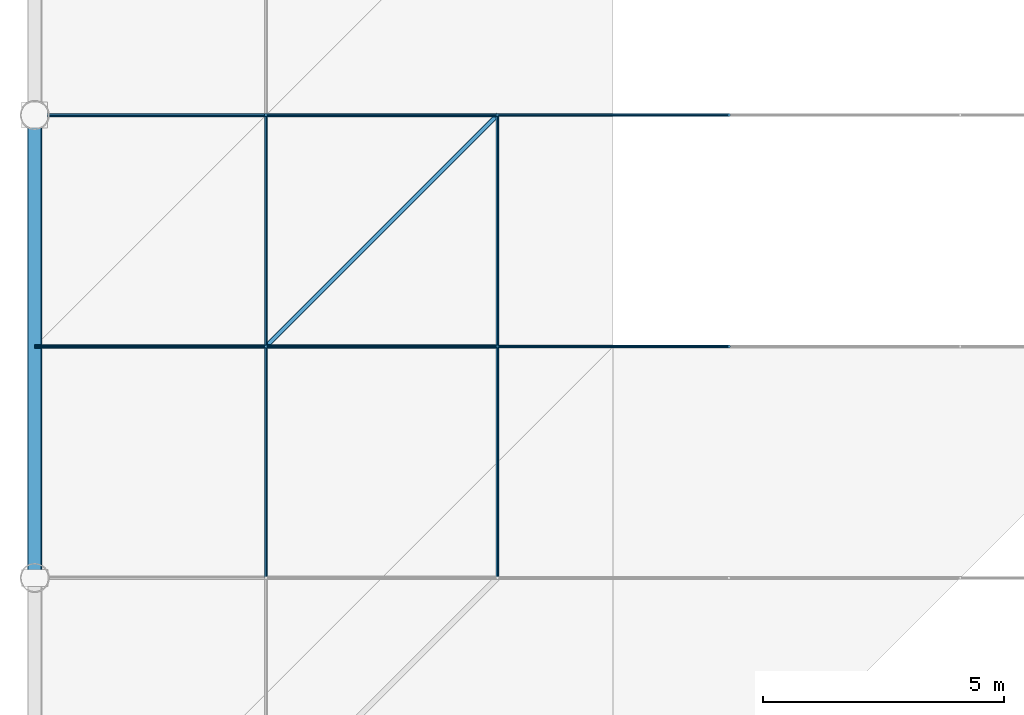
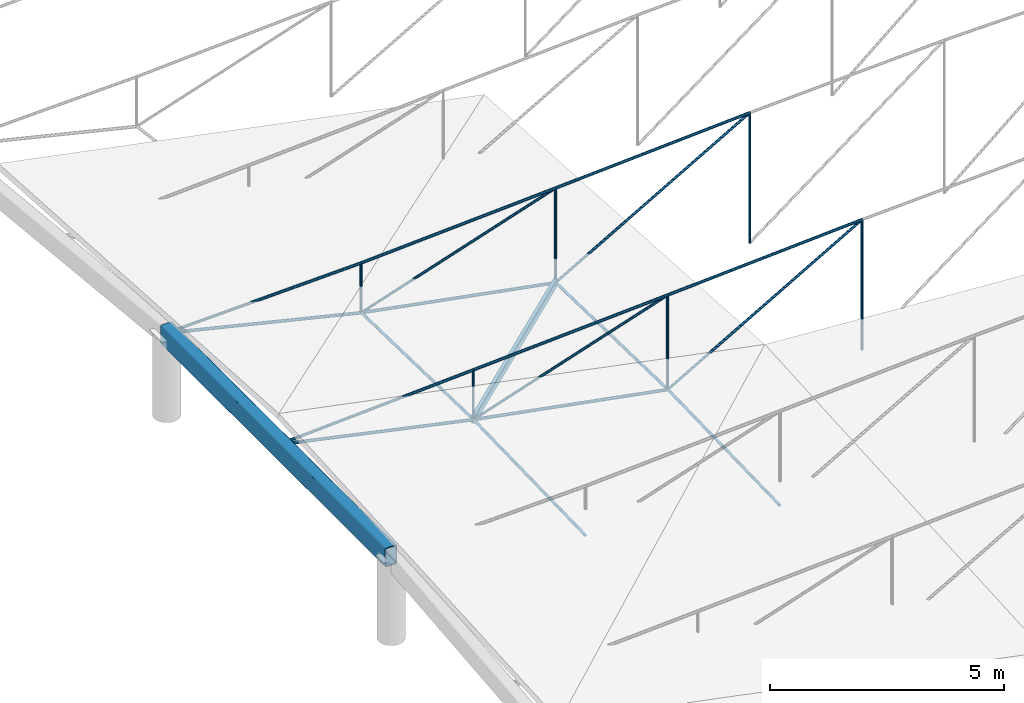
# One storey, part 20 of 50: 25 members, 1 beam.
"""IFC4 building model written with IfcOpenShell, lengths in metres."""

from ifc_helpers import new_model, si_unit, direction, frame, origin, origin_2d, place, context, subcontext, project, spatial, hollow_rectangle, circle, extrude, material, material_profile, profile_set, type_object, element, save


model = new_model("IFC4")

# Units and contexts
model_context = context("Model", 3, precision=1e-05, world=origin(), true_north=direction((0.0, 1.0)))
body_context = subcontext(model_context, "Body", "Model", "MODEL_VIEW")
ifc_project = project(units=[si_unit("LENGTHUNIT", "METRE"), si_unit("AREAUNIT", "SQUARE_METRE"), si_unit("VOLUMEUNIT", "CUBIC_METRE"), si_unit("PLANEANGLEUNIT", "RADIAN"), si_unit("MASSUNIT", "GRAM", prefix="KILO")], contexts=[model_context])

# Site, building, storey
site_placement = place(None, origin())
site = spatial("IfcSite", under=ifc_project, at=site_placement, CompositionType="ELEMENT")
building_placement = place(site_placement, origin())
building = spatial("IfcBuilding", under=site, at=building_placement, Name="Zevrakil Square Congress Hotel", CompositionType="ELEMENT")
storey_placement = place(building_placement, frame((0.0, 0.0, 21.5)))
storey = spatial("IfcBuildingStorey", under=building, at=storey_placement, Name="L06", CompositionType="ELEMENT", Elevation=21.5)

# Members
ifc_material_1 = material(Name="Steel S355", Category="steel")
ifc_material_profile_1 = material_profile(ifc_material_1, circle(Radius=0.030029296875, at=origin_2d()), Name="CABLE RD60")
ifc_profile_set_1 = profile_set([ifc_material_profile_1], Name="Steel S355")
member_type_1 = type_object("IfcMemberType", Name="MEM-CABLE-RD60", PredefinedType="USERDEFINED", material=ifc_profile_set_1)
member_1_placement = place(storey_placement, frame((122.39990234375, 88.800048828125, 1.097900390625), z_axis=(0.0, 0.0, 1.0), x_axis=(1.0, 0.0, 0.0)))
element("IfcMember", 1, at=member_1_placement, inside=storey, type_object=member_type_1, Name="Congress cable-truss vertical tie CBW-05-1", ObjectType="ROOF CABLE", PredefinedType="USERDEFINED", context=body_context, shape_type="SweptSolid", body=[
    extrude(circle(Radius=0.030029296875, at=origin_2d()), origin(), (0.0, 0.0, 1.0), 1.298095703125),
])
member_2_placement = place(storey_placement, frame((122.39990234375, 88.800048828125, 1.097900390625), z_axis=(0.95029004287, 0.0, 0.311366077828), x_axis=(0.0, 1.0, 0.0)))
element("IfcMember", 2, at=member_2_placement, inside=storey, type_object=member_type_1, Name="Congress cable-truss web diagonal CBD-05-2", ObjectType="ROOF CABLE", PredefinedType="USERDEFINED", context=body_context, shape_type="SweptSolid", body=[
    extrude(circle(Radius=0.030029296875, at=origin_2d()), origin(), (0.0, 0.0, 1.0), 5.051025390625),
])
member_3_placement = place(storey_placement, frame((127.199951171875, 88.800048828125, 0.201904296875), z_axis=(0.0, 0.0, 1.0), x_axis=(1.0, 0.0, 0.0)))
element("IfcMember", 3, at=member_3_placement, inside=storey, type_object=member_type_1, Name="Congress cable-truss vertical tie CBW-05-2", ObjectType="ROOF CABLE", PredefinedType="USERDEFINED", context=body_context, shape_type="SweptSolid", body=[
    extrude(circle(Radius=0.030029296875, at=origin_2d()), origin(), (0.0, 0.0, 1.0), 2.46875),
])
member_4_placement = place(storey_placement, frame((127.199951171875, 88.800048828125, 0.201904296875), z_axis=(0.867060147467, 0.0, 0.498203473167), x_axis=(0.0, 1.0, 0.0)))
element("IfcMember", 4, at=member_4_placement, inside=storey, type_object=member_type_1, Name="Congress cable-truss web diagonal CBD-05-3", ObjectType="ROOF CABLE", PredefinedType="USERDEFINED", context=body_context, shape_type="SweptSolid", body=[
    extrude(circle(Radius=0.030029296875, at=origin_2d()), origin(), (0.0, 0.0, 1.0), 5.535888671875),
])
member_5_placement = place(storey_placement, frame((132.0, 88.800048828125, -0.43798828125), z_axis=(0.0, 0.0, 1.0), x_axis=(1.0, 0.0, 0.0)))
element("IfcMember", 5, at=member_5_placement, inside=storey, type_object=member_type_1, Name="Congress cable-truss vertical tie CBW-05-3", ObjectType="ROOF CABLE", PredefinedType="USERDEFINED", context=body_context, shape_type="SweptSolid", body=[
    extrude(circle(Radius=0.030029296875, at=origin_2d()), origin(), (0.0, 0.0, 1.0), 3.39794921875),
])
member_6_placement = place(storey_placement, frame((122.39990234375, 93.60009765625, 0.97802734375), z_axis=(0.0, 0.0, 1.0), x_axis=(1.0, 0.0, 0.0)))
element("IfcMember", 6, at=member_6_placement, inside=storey, type_object=member_type_1, Name="Congress cable-truss vertical tie CBW-06-1", ObjectType="ROOF CABLE", PredefinedType="USERDEFINED", context=body_context, shape_type="SweptSolid", body=[
    extrude(circle(Radius=0.030029296875, at=origin_2d()), origin(), (0.0, 0.0, 1.0), 1.2978515625),
])
member_7_placement = place(storey_placement, frame((122.39990234375, 93.60009765625, 0.97802734375), z_axis=(0.95029004287, 0.0, 0.311366077828), x_axis=(0.0, 1.0, 0.0)))
element("IfcMember", 7, at=member_7_placement, inside=storey, type_object=member_type_1, Name="Congress cable-truss web diagonal CBD-06-2", ObjectType="ROOF CABLE", PredefinedType="USERDEFINED", context=body_context, shape_type="SweptSolid", body=[
    extrude(circle(Radius=0.030029296875, at=origin_2d()), origin(), (0.0, 0.0, 1.0), 5.051025390625),
])
member_8_placement = place(storey_placement, frame((127.199951171875, 93.60009765625, 0.08203125), z_axis=(0.0, 0.0, 1.0), x_axis=(1.0, 0.0, 0.0)))
element("IfcMember", 8, at=member_8_placement, inside=storey, type_object=member_type_1, Name="Congress cable-truss vertical tie CBW-06-2", ObjectType="ROOF CABLE", PredefinedType="USERDEFINED", context=body_context, shape_type="SweptSolid", body=[
    extrude(circle(Radius=0.030029296875, at=origin_2d()), origin(), (0.0, 0.0, 1.0), 2.46875),
])
member_9_placement = place(storey_placement, frame((127.199951171875, 93.60009765625, 0.08203125), z_axis=(0.867079197454, 0.0, 0.498170317605), x_axis=(0.0, 1.0, 0.0)))
element("IfcMember", 9, at=member_9_placement, inside=storey, type_object=member_type_1, Name="Congress cable-truss web diagonal CBD-06-3", ObjectType="ROOF CABLE", PredefinedType="USERDEFINED", context=body_context, shape_type="SweptSolid", body=[
    extrude(circle(Radius=0.030029296875, at=origin_2d()), origin(), (0.0, 0.0, 1.0), 5.535888671875),
])
member_10_placement = place(storey_placement, frame((132.0, 93.60009765625, -0.55810546875), z_axis=(0.0, 0.0, 1.0), x_axis=(1.0, 0.0, 0.0)))
element("IfcMember", 10, at=member_10_placement, inside=storey, type_object=member_type_1, Name="Congress cable-truss vertical tie CBW-06-3", ObjectType="ROOF CABLE", PredefinedType="USERDEFINED", context=body_context, shape_type="SweptSolid", body=[
    extrude(circle(Radius=0.030029296875, at=origin_2d()), origin(), (0.0, 0.0, 1.0), 3.39794921875),
])
ifc_material_2 = material(Name="Steel S355", Category="steel")
ifc_material_profile_2 = material_profile(ifc_material_2, circle(Radius=0.033935546875, at=origin_2d()), Name="CABLE RD68")
ifc_profile_set_2 = profile_set([ifc_material_profile_2], Name="Steel S355")
member_type_2 = type_object("IfcMemberType", Name="MEM-CABLE-RD68", PredefinedType="USERDEFINED", material=ifc_profile_set_2)
for number, where, z_axis, x_axis, name in (
    (11, (122.39990234375, 84.0, 0.988037109375), (0.0, 0.999688312992, 0.024965513538), (-1.0, 0.0, 0.0), "Congress saddle stabilizing cable CBH-01 seg 5"),
    (12, (122.39990234375, 88.800048828125, 1.10791015625), (0.0, 0.999688312992, -0.024965513538), (-1.0, 0.0, 0.0), "Congress saddle stabilizing cable CBH-01 seg 6"),
    (13, (127.199951171875, 84.0, 0.092041015625), (0.0, 0.999688312992, 0.024965513538), (-1.0, 0.0, 0.0), "Congress saddle stabilizing cable CBH-02 seg 5"),
    (14, (127.199951171875, 88.800048828125, 0.2119140625), (0.0, 0.999688312992, -0.024965513538), (-1.0, 0.0, 0.0), "Congress saddle stabilizing cable CBH-02 seg 6"),
):
    element("IfcMember", number, at=place(storey_placement, frame(where, z_axis=z_axis, x_axis=x_axis)), inside=storey, type_object=member_type_2, Name=name, ObjectType="ROOF CABLE", PredefinedType="USERDEFINED", context=body_context, shape_type="SweptSolid", body=[
        extrude(circle(Radius=0.033935546875, at=origin_2d()), origin(), (0.0, 0.0, 1.0), 4.801513671875),
    ])
member_11_placement = place(storey_placement, frame((117.60009765625, 88.800048828125, 2.1298828125), z_axis=(0.998466597537, 0.0, 0.055357507188), x_axis=(0.0, 1.0, 0.0)))
element("IfcMember", 15, at=member_11_placement, inside=storey, type_object=member_type_2, Name="Congress lenticular upper cable chord CBU-05 seg 1", ObjectType="ROOF CABLE", PredefinedType="USERDEFINED", context=body_context, shape_type="SweptSolid", body=[
    extrude(circle(Radius=0.033935546875, at=origin_2d()), origin(), (0.0, 0.0, 1.0), 4.80712890625),
])
member_12_placement = place(storey_placement, frame((122.39990234375, 88.800048828125, 2.39599609375), z_axis=(0.99836695184, 0.0, 0.057126434099), x_axis=(0.0, 1.0, 0.0)))
element("IfcMember", 16, at=member_12_placement, inside=storey, type_object=member_type_2, Name="Congress lenticular upper cable chord CBU-05 seg 2", ObjectType="ROOF CABLE", PredefinedType="USERDEFINED", context=body_context, shape_type="SweptSolid", body=[
    extrude(circle(Radius=0.033935546875, at=origin_2d()), origin(), (0.0, 0.0, 1.0), 4.807861328125),
])
member_13_placement = place(storey_placement, frame((127.199951171875, 88.800048828125, 2.670654296875), z_axis=(0.998188600561, 0.0, 0.060162427733), x_axis=(0.0, 1.0, 0.0)))
element("IfcMember", 17, at=member_13_placement, inside=storey, type_object=member_type_2, Name="Congress lenticular upper cable chord CBU-05 seg 3", ObjectType="ROOF CABLE", PredefinedType="USERDEFINED", context=body_context, shape_type="SweptSolid", body=[
    extrude(circle(Radius=0.033935546875, at=origin_2d()), origin(), (0.0, 0.0, 1.0), 4.808837890625),
])
member_14_placement = place(storey_placement, frame((117.60009765625, 93.60009765625, 2.1298828125), z_axis=(0.999537721052, 0.0, 0.030403029359), x_axis=(0.0, 1.0, 0.0)))
element("IfcMember", 18, at=member_14_placement, inside=storey, type_object=member_type_2, Name="Congress lenticular upper cable chord CBU-06 seg 1", ObjectType="ROOF CABLE", PredefinedType="USERDEFINED", context=body_context, shape_type="SweptSolid", body=[
    extrude(circle(Radius=0.033935546875, at=origin_2d()), origin(), (0.0, 0.0, 1.0), 4.802001953125),
])
member_15_placement = place(storey_placement, frame((122.39990234375, 93.60009765625, 2.27587890625), z_axis=(0.998364054477, 0.0, 0.057177047217), x_axis=(0.0, 1.0, 0.0)))
element("IfcMember", 19, at=member_15_placement, inside=storey, type_object=member_type_2, Name="Congress lenticular upper cable chord CBU-06 seg 2", ObjectType="ROOF CABLE", PredefinedType="USERDEFINED", context=body_context, shape_type="SweptSolid", body=[
    extrude(circle(Radius=0.033935546875, at=origin_2d()), origin(), (0.0, 0.0, 1.0), 4.807861328125),
])
member_16_placement = place(storey_placement, frame((127.199951171875, 93.60009765625, 2.55078125), z_axis=(0.998191648201, 0.0, 0.060111841283), x_axis=(0.0, 1.0, 0.0)))
element("IfcMember", 20, at=member_16_placement, inside=storey, type_object=member_type_2, Name="Congress lenticular upper cable chord CBU-06 seg 3", ObjectType="ROOF CABLE", PredefinedType="USERDEFINED", context=body_context, shape_type="SweptSolid", body=[
    extrude(circle(Radius=0.033935546875, at=origin_2d()), origin(), (0.0, 0.0, 1.0), 4.808837890625),
])
ifc_material_3 = material(Name="Steel S355", Category="steel")
ifc_material_profile_3 = material_profile(ifc_material_3, circle(Radius=0.0380859375, at=origin_2d()), Name="CABLE RD76")
ifc_profile_set_3 = profile_set([ifc_material_profile_3], Name="Steel S355")
member_type_3 = type_object("IfcMemberType", Name="MEM-CABLE-RD76", PredefinedType="USERDEFINED", material=ifc_profile_set_3)
member_17_placement = place(storey_placement, frame((117.60009765625, 88.800048828125, 2.1298828125), z_axis=(0.977658092129, 0.0, -0.210201462636), x_axis=(0.0, 1.0, 0.0)))
element("IfcMember", 21, at=member_17_placement, inside=storey, type_object=member_type_3, Name="Congress saddle carrying cable CBS-05 seg 1", ObjectType="ROOF CABLE", PredefinedType="USERDEFINED", context=body_context, shape_type="SweptSolid", body=[
    extrude(circle(Radius=0.0380859375, at=origin_2d()), origin(), (0.0, 0.0, 1.0), 4.909423828125),
])
member_18_placement = place(storey_placement, frame((122.39990234375, 88.800048828125, 1.097900390625), z_axis=(0.983020729765, 0.0, -0.183494536302), x_axis=(0.0, 1.0, 0.0)))
element("IfcMember", 22, at=member_18_placement, inside=storey, type_object=member_type_3, Name="Congress saddle carrying cable CBS-05 seg 2", ObjectType="ROOF CABLE", PredefinedType="USERDEFINED", context=body_context, shape_type="SweptSolid", body=[
    extrude(circle(Radius=0.0380859375, at=origin_2d()), origin(), (0.0, 0.0, 1.0), 4.883056640625),
])
member_19_placement = place(storey_placement, frame((117.60009765625, 93.60009765625, 2.1298828125), z_axis=(0.9723917914, 0.0, -0.233354245769), x_axis=(0.0, 1.0, 0.0)))
element("IfcMember", 23, at=member_19_placement, inside=storey, type_object=member_type_3, Name="Congress saddle carrying cable CBS-06 seg 1", ObjectType="ROOF CABLE", PredefinedType="USERDEFINED", context=body_context, shape_type="SweptSolid", body=[
    extrude(circle(Radius=0.0380859375, at=origin_2d()), origin(), (0.0, 0.0, 1.0), 4.93603515625),
])
member_20_placement = place(storey_placement, frame((122.39990234375, 93.60009765625, 0.97802734375), z_axis=(0.983020729765, 0.0, -0.183494536302), x_axis=(0.0, 1.0, 0.0)))
element("IfcMember", 24, at=member_20_placement, inside=storey, type_object=member_type_3, Name="Congress saddle carrying cable CBS-06 seg 2", ObjectType="ROOF CABLE", PredefinedType="USERDEFINED", context=body_context, shape_type="SweptSolid", body=[
    extrude(circle(Radius=0.0380859375, at=origin_2d()), origin(), (0.0, 0.0, 1.0), 4.883056640625),
])
ifc_material_4 = material(Name="Steel S355", Category="steel")
ifc_material_profile_4 = material_profile(ifc_material_4, hollow_rectangle(XDim=0.10009765625, YDim=0.199951171875, WallThickness=0.010009765625, InnerFilletRadius=0.010009765625, OuterFilletRadius=0.02001953125, at=origin_2d()), Name="RHS 200x100x10")
ifc_profile_set_4 = profile_set([ifc_material_profile_4], Name="Steel S355")
member_type_4 = type_object("IfcMemberType", Name="MEM-PURLIN-RHS200", PredefinedType="PURLIN", material=ifc_profile_set_4)
member_21_placement = place(storey_placement, frame((122.39990234375, 88.800048828125, 1.10791015625), z_axis=(0.6993194528, 0.6993194528, -0.148002046849), x_axis=(-0.707106781187, 0.707106781187, 0.0)))
element("IfcMember", 25, at=member_21_placement, inside=storey, type_object=member_type_4, Name="Congress roof secondary purlin CPB-01-05", PredefinedType="PURLIN", context=body_context, shape_type="SweptSolid", body=[
    extrude(hollow_rectangle(XDim=0.10009765625, YDim=0.199951171875, WallThickness=0.010009765625, InnerFilletRadius=0.010009765625, OuterFilletRadius=0.02001953125, at=origin_2d()), origin(), (0.0, 0.0, 1.0), 6.86376953125),
])

# Beam
ifc_material_5 = material(Name="Steel S355", Category="steel")
ifc_material_profile_5 = material_profile(ifc_material_5, hollow_rectangle(XDim=0.300048828125, YDim=0.5, WallThickness=0.02001953125, InnerFilletRadius=0.02001953125, OuterFilletRadius=0.0400390625, at=origin_2d()), Name="RHS 500x300x20")
ifc_profile_set_5 = profile_set([ifc_material_profile_5], Name="Steel S355")
beam_type = type_object("IfcBeamType", Name="RNG-RHS500", PredefinedType="USERDEFINED", material=ifc_profile_set_5)
beam_placement = place(storey_placement, frame((117.60009765625, 93.60009765625, 2.1298828125), z_axis=(0.0, -1.0, 0.0), x_axis=(1.0, 0.0, 0.0)))
element("IfcBeam", 26, at=beam_placement, inside=storey, type_object=beam_type, Name="Congress Hall compression ring beam RB-18", ObjectType="RING BEAM", PredefinedType="USERDEFINED", context=body_context, shape_type="SweptSolid", body=[
    extrude(hollow_rectangle(XDim=0.300048828125, YDim=0.5, WallThickness=0.02001953125, InnerFilletRadius=0.02001953125, OuterFilletRadius=0.0400390625, at=origin_2d()), origin(), (0.0, 0.0, 1.0), 9.60009765625),
])

save(model, "model.ifc")
